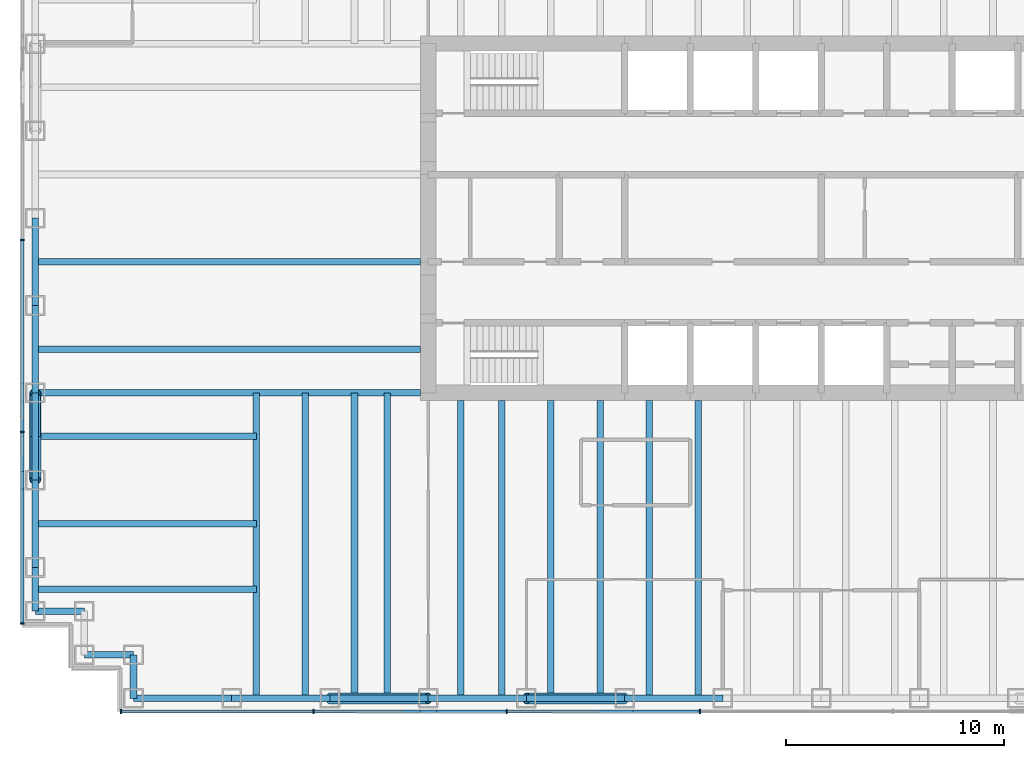
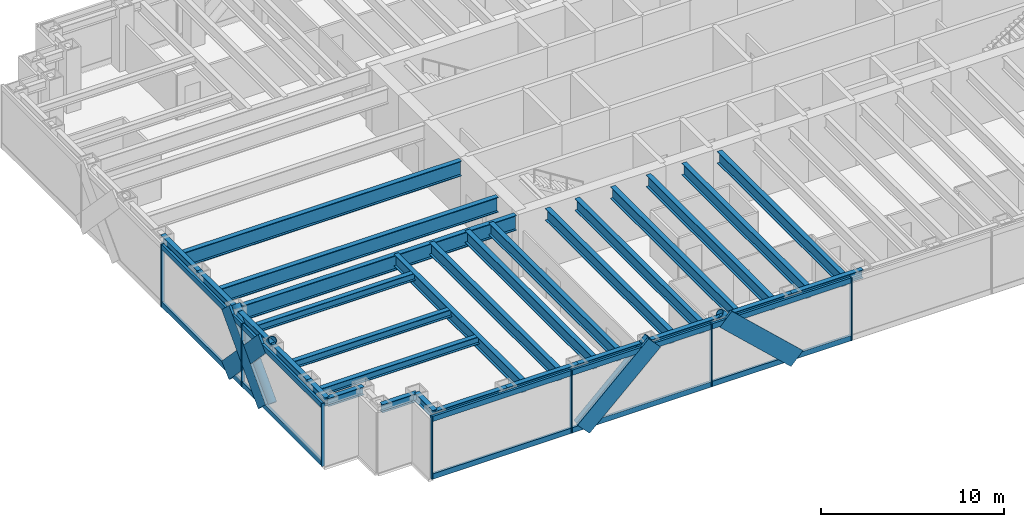
# One storey, part 2 of 17: 30 beams, 25 members, 2 elements without a shape of their own.
"""IFC4 building model written with IfcOpenShell, lengths in metres."""

from ifc_helpers import new_model, si_unit, direction, frame, origin, origin_2d, place, context, subcontext, project, spatial, rectangle, hollow_circle, i_section, extrude, material, material_profile, profile_set, type_object, element, aggregate, save


model = new_model("IFC4")

# Units and contexts
model_context = context("Model", 3, precision=1e-05, world=origin(), true_north=direction((0.0, 1.0)))
body_context = subcontext(model_context, "Body", "Model", "MODEL_VIEW")
ifc_project = project(units=[si_unit("LENGTHUNIT", "METRE"), si_unit("AREAUNIT", "SQUARE_METRE"), si_unit("VOLUMEUNIT", "CUBIC_METRE"), si_unit("PLANEANGLEUNIT", "RADIAN"), si_unit("MASSUNIT", "GRAM", prefix="KILO")], contexts=[model_context])

# Site, building, storey
site_placement = place(None, origin())
site = spatial("IfcSite", under=ifc_project, at=site_placement, CompositionType="ELEMENT")
building_placement = place(site_placement, origin())
building = spatial("IfcBuilding", under=site, at=building_placement, Name="Rheinbord Bourse Tower", CompositionType="ELEMENT")
storey_placement = place(building_placement, frame((0.0, 0.0, 283.699951171875)))
storey = spatial("IfcBuildingStorey", under=building, at=storey_placement, Name="L64", CompositionType="ELEMENT", Elevation=283.699951171875)

# Curtain wall, members
ifc_material_1 = material(Name="Dark glass and black aluminium", Category="aluminium")
curtain_wall_type = type_object("IfcCurtainWallType", Name="CW3 DARK GLASS CURTAIN WALL", PredefinedType="USERDEFINED", material=ifc_material_1)
curtain_wall_1_placement = place(storey_placement, origin())
curtain_wall_1 = element("IfcCurtainWall", 1, at=curtain_wall_1_placement, inside=storey, type_object=curtain_wall_type, Name="Curtain wall CW3 S L64", ObjectType="UNITISED CURTAIN WALL", PredefinedType="USERDEFINED")
ifc_material_2 = material(Name="Black anodised aluminium", Category="aluminium")
ifc_material_profile_1 = material_profile(ifc_material_2, rectangle(XDim=0.14990234375, YDim=1.10791015625, at=origin_2d()), Name="CW3 DIAGONAL MULLION 1108x150")
ifc_profile_set_1 = profile_set([ifc_material_profile_1], Name="Black anodised aluminium")
member_type_1 = type_object("IfcMemberType", Name="CW3 BLACK DIAGONAL MULLION", PredefinedType="USERDEFINED", material=ifc_profile_set_1)
member_1_placement = place(storey_placement, frame((27.0, 1.39990234375, 0.0), z_axis=(-0.73105922506, 0.0, 0.682314010889), x_axis=(0.0, -1.0, 0.0)))
member_1 = element("IfcMember", 2, at=member_1_placement, type_object=member_type_1, Name="CW3 diagonal mullion b", ObjectType="DIAGONAL MULLION", PredefinedType="USERDEFINED", context=body_context, shape_type="SweptSolid", body=[
    extrude(rectangle(XDim=0.14990234375, YDim=1.10791015625, at=origin_2d()), origin(), (0.0, 0.0, 1.0), 6.155517578125),
])
member_2_placement = place(storey_placement, frame((13.5, 1.39990234375, 0.0), z_axis=(0.73105922506, 0.0, 0.682314010889), x_axis=(0.0, 1.0, 0.0)))
member_2 = element("IfcMember", 3, at=member_2_placement, type_object=member_type_1, Name="CW3 diagonal mullion d", ObjectType="DIAGONAL MULLION", PredefinedType="USERDEFINED", context=body_context, shape_type="SweptSolid", body=[
    extrude(rectangle(XDim=0.14990234375, YDim=1.10791015625, at=origin_2d()), origin(), (0.0, 0.0, 1.0), 6.155517578125),
])

curtain_wall_2_placement = place(storey_placement, origin())
curtain_wall_2 = element("IfcCurtainWall", 4, at=curtain_wall_2_placement, inside=storey, type_object=curtain_wall_type, Name="Curtain wall CW3 W L64", ObjectType="UNITISED CURTAIN WALL", PredefinedType="USERDEFINED")
member_3_placement = place(storey_placement, frame((-0.60009765625, 12.0, 0.0), z_axis=(0.0, 0.689659376744, 0.724133926887), x_axis=(-1.0, 0.0, 0.0)))
member_3 = element("IfcMember", 5, at=member_3_placement, type_object=member_type_1, Name="CW3 diagonal mullion b", ObjectType="DIAGONAL MULLION", PredefinedType="USERDEFINED", context=body_context, shape_type="SweptSolid", body=[
    extrude(rectangle(XDim=0.14990234375, YDim=1.10791015625, at=origin_2d()), origin(), (0.0, 0.0, 1.0), 5.800048828125),
])
member_4_placement = place(storey_placement, frame((-0.60009765625, 16.0, 0.0), z_axis=(0.0, -0.689659376744, 0.724133926887), x_axis=(1.0, 0.0, 0.0)))
member_4 = element("IfcMember", 6, at=member_4_placement, type_object=member_type_1, Name="CW3 diagonal mullion c", ObjectType="DIAGONAL MULLION", PredefinedType="USERDEFINED", context=body_context, shape_type="SweptSolid", body=[
    extrude(rectangle(XDim=0.14990234375, YDim=1.10791015625, at=origin_2d()), origin(), (0.0, 0.0, 1.0), 5.800048828125),
])

# Member
ifc_material_3 = material(Name="Black anodised aluminium", Category="aluminium")
ifc_material_profile_2 = material_profile(ifc_material_3, rectangle(XDim=0.199951171875, YDim=0.06494140625, at=origin_2d()), Name="CW3 MULLION 65x200")
ifc_profile_set_2 = profile_set([ifc_material_profile_2], Name="Black anodised aluminium")
member_type_2 = type_object("IfcMemberType", Name="CW3 BLACK MULLION", PredefinedType="MULLION", material=ifc_profile_set_2)
member_5_placement = place(storey_placement, frame((3.9326171875, 1.39990234375, 0.0), z_axis=(0.0, 0.0, 1.0), x_axis=(0.0, 1.0, 0.0)))
member_5 = element("IfcMember", 7, at=member_5_placement, type_object=member_type_2, Name="CW3 mullion 1", PredefinedType="MULLION", context=body_context, shape_type="SweptSolid", body=[
    extrude(rectangle(XDim=0.199951171875, YDim=0.06494140625, at=origin_2d()), origin(), (0.0, 0.0, 1.0), 4.199951171875),
])

member_6_placement = place(storey_placement, frame((12.75, 1.39990234375, 0.0), z_axis=(0.0, 0.0, 1.0), x_axis=(0.0, 1.0, 0.0)))
member_6 = element("IfcMember", 8, at=member_6_placement, type_object=member_type_2, Name="CW3 mullion 2", PredefinedType="MULLION", context=body_context, shape_type="SweptSolid", body=[
    extrude(rectangle(XDim=0.199951171875, YDim=0.06494140625, at=origin_2d()), origin(), (0.0, 0.0, 1.0), 4.199951171875),
])

member_7_placement = place(storey_placement, frame((21.60009765625, 1.39990234375, 0.0), z_axis=(0.0, 0.0, 1.0), x_axis=(0.0, 1.0, 0.0)))
member_7 = element("IfcMember", 9, at=member_7_placement, type_object=member_type_2, Name="CW3 mullion 3", PredefinedType="MULLION", context=body_context, shape_type="SweptSolid", body=[
    extrude(rectangle(XDim=0.199951171875, YDim=0.06494140625, at=origin_2d()), origin(), (0.0, 0.0, 1.0), 4.199951171875),
])

member_8_placement = place(storey_placement, frame((30.449951171875, 1.39990234375, 0.0), z_axis=(0.0, 0.0, 1.0), x_axis=(0.0, 1.0, 0.0)))
member_8 = element("IfcMember", 10, at=member_8_placement, type_object=member_type_2, Name="CW3 mullion 4", PredefinedType="MULLION", context=body_context, shape_type="SweptSolid", body=[
    extrude(rectangle(XDim=0.199951171875, YDim=0.06494140625, at=origin_2d()), origin(), (0.0, 0.0, 1.0), 4.199951171875),
])

member_9_placement = place(storey_placement, frame((-0.60009765625, 23.0, 0.0), z_axis=(0.0, 0.0, 1.0), x_axis=(1.0, 0.0, 0.0)))
member_9 = element("IfcMember", 11, at=member_9_placement, type_object=member_type_2, Name="CW3 mullion 3", PredefinedType="MULLION", context=body_context, shape_type="SweptSolid", body=[
    extrude(rectangle(XDim=0.199951171875, YDim=0.06494140625, at=origin_2d()), origin(), (0.0, 0.0, 1.0), 4.199951171875),
])

member_10_placement = place(storey_placement, frame((-0.60009765625, 14.199951171875, 0.0), z_axis=(0.0, 0.0, 1.0), x_axis=(1.0, 0.0, 0.0)))
member_10 = element("IfcMember", 12, at=member_10_placement, type_object=member_type_2, Name="CW3 mullion 4", PredefinedType="MULLION", context=body_context, shape_type="SweptSolid", body=[
    extrude(rectangle(XDim=0.199951171875, YDim=0.06494140625, at=origin_2d()), origin(), (0.0, 0.0, 1.0), 4.199951171875),
])

member_11_placement = place(storey_placement, frame((-0.60009765625, 5.4326171875, 0.0), z_axis=(0.0, 0.0, 1.0), x_axis=(1.0, 0.0, 0.0)))
member_11 = element("IfcMember", 13, at=member_11_placement, type_object=member_type_2, Name="CW3 mullion 5", PredefinedType="MULLION", context=body_context, shape_type="SweptSolid", body=[
    extrude(rectangle(XDim=0.199951171875, YDim=0.06494140625, at=origin_2d()), origin(), (0.0, 0.0, 1.0), 4.199951171875),
])

ifc_material_4 = material(Name="Black anodised aluminium", Category="aluminium")
ifc_material_profile_3 = material_profile(ifc_material_4, rectangle(XDim=0.14990234375, YDim=0.35009765625, at=origin_2d()), Name="CW3 TRANSOM 350x150")
ifc_profile_set_3 = profile_set([ifc_material_profile_3], Name="Black anodised aluminium")
member_type_3 = type_object("IfcMemberType", Name="CW3 BLACK TRANSOM", PredefinedType="USERDEFINED", material=ifc_profile_set_3)
member_12_placement = place(storey_placement, frame((3.965087890625, 1.39990234375, 0.175048828125), z_axis=(1.0, 0.0, 0.0), x_axis=(0.0, 1.0, 0.0)))
member_12 = element("IfcMember", 14, at=member_12_placement, type_object=member_type_3, Name="CW3 transom 1.1", ObjectType="TRANSOM", PredefinedType="USERDEFINED", context=body_context, shape_type="SweptSolid", body=[
    extrude(rectangle(XDim=0.14990234375, YDim=0.35009765625, at=origin_2d()), origin(), (0.0, 0.0, 1.0), 8.75244140625),
])

member_13_placement = place(storey_placement, frame((3.965087890625, 1.39990234375, 4.025146484375), z_axis=(1.0, 0.0, 0.0), x_axis=(0.0, 1.0, 0.0)))
member_13 = element("IfcMember", 15, at=member_13_placement, type_object=member_type_3, Name="CW3 transom 1.2", ObjectType="TRANSOM", PredefinedType="USERDEFINED", context=body_context, shape_type="SweptSolid", body=[
    extrude(rectangle(XDim=0.14990234375, YDim=0.35009765625, at=origin_2d()), origin(), (0.0, 0.0, 1.0), 8.75244140625),
])

member_14_placement = place(storey_placement, frame((12.782470703125, 1.39990234375, 0.175048828125), z_axis=(1.0, 0.0, 0.0), x_axis=(0.0, 1.0, 0.0)))
member_14 = element("IfcMember", 16, at=member_14_placement, type_object=member_type_3, Name="CW3 transom 2.1", ObjectType="TRANSOM", PredefinedType="USERDEFINED", context=body_context, shape_type="SweptSolid", body=[
    extrude(rectangle(XDim=0.14990234375, YDim=0.35009765625, at=origin_2d()), origin(), (0.0, 0.0, 1.0), 8.784912109375),
])

member_15_placement = place(storey_placement, frame((12.782470703125, 1.39990234375, 4.025146484375), z_axis=(1.0, 0.0, 0.0), x_axis=(0.0, 1.0, 0.0)))
member_15 = element("IfcMember", 17, at=member_15_placement, type_object=member_type_3, Name="CW3 transom 2.2", ObjectType="TRANSOM", PredefinedType="USERDEFINED", context=body_context, shape_type="SweptSolid", body=[
    extrude(rectangle(XDim=0.14990234375, YDim=0.35009765625, at=origin_2d()), origin(), (0.0, 0.0, 1.0), 8.784912109375),
])

member_16_placement = place(storey_placement, frame((21.632568359375, 1.39990234375, 0.175048828125), z_axis=(1.0, 0.0, 0.0), x_axis=(0.0, 1.0, 0.0)))
member_16 = element("IfcMember", 18, at=member_16_placement, type_object=member_type_3, Name="CW3 transom 3.1", ObjectType="TRANSOM", PredefinedType="USERDEFINED", context=body_context, shape_type="SweptSolid", body=[
    extrude(rectangle(XDim=0.14990234375, YDim=0.35009765625, at=origin_2d()), origin(), (0.0, 0.0, 1.0), 8.784912109375),
])

member_17_placement = place(storey_placement, frame((21.632568359375, 1.39990234375, 4.025146484375), z_axis=(1.0, 0.0, 0.0), x_axis=(0.0, 1.0, 0.0)))
member_17 = element("IfcMember", 19, at=member_17_placement, type_object=member_type_3, Name="CW3 transom 3.2", ObjectType="TRANSOM", PredefinedType="USERDEFINED", context=body_context, shape_type="SweptSolid", body=[
    extrude(rectangle(XDim=0.14990234375, YDim=0.35009765625, at=origin_2d()), origin(), (0.0, 0.0, 1.0), 8.784912109375),
])

aggregate(curtain_wall_1, [member_5, member_6, member_7, member_8, member_12, member_13, member_14, member_15, member_16, member_17, member_1, member_2])

member_18_placement = place(storey_placement, frame((-0.60009765625, 22.967529296875, 0.175048828125), z_axis=(0.0, -1.0, 0.0), x_axis=(1.0, 0.0, 0.0)))
member_18 = element("IfcMember", 20, at=member_18_placement, type_object=member_type_3, Name="CW3 transom 3.1", ObjectType="TRANSOM", PredefinedType="USERDEFINED", context=body_context, shape_type="SweptSolid", body=[
    extrude(rectangle(XDim=0.14990234375, YDim=0.35009765625, at=origin_2d()), origin(), (0.0, 0.0, 1.0), 8.735107421875),
])

member_19_placement = place(storey_placement, frame((-0.60009765625, 22.967529296875, 4.025146484375), z_axis=(0.0, -1.0, 0.0), x_axis=(1.0, 0.0, 0.0)))
member_19 = element("IfcMember", 21, at=member_19_placement, type_object=member_type_3, Name="CW3 transom 3.2", ObjectType="TRANSOM", PredefinedType="USERDEFINED", context=body_context, shape_type="SweptSolid", body=[
    extrude(rectangle(XDim=0.14990234375, YDim=0.35009765625, at=origin_2d()), origin(), (0.0, 0.0, 1.0), 8.735107421875),
])

member_20_placement = place(storey_placement, frame((-0.60009765625, 14.16748046875, 0.175048828125), z_axis=(0.0, -1.0, 0.0), x_axis=(1.0, 0.0, 0.0)))
member_20 = element("IfcMember", 22, at=member_20_placement, type_object=member_type_3, Name="CW3 transom 4.1", ObjectType="TRANSOM", PredefinedType="USERDEFINED", context=body_context, shape_type="SweptSolid", body=[
    extrude(rectangle(XDim=0.14990234375, YDim=0.35009765625, at=origin_2d()), origin(), (0.0, 0.0, 1.0), 8.702392578125),
])

member_21_placement = place(storey_placement, frame((-0.60009765625, 14.16748046875, 4.025146484375), z_axis=(0.0, -1.0, 0.0), x_axis=(1.0, 0.0, 0.0)))
member_21 = element("IfcMember", 23, at=member_21_placement, type_object=member_type_3, Name="CW3 transom 4.2", ObjectType="TRANSOM", PredefinedType="USERDEFINED", context=body_context, shape_type="SweptSolid", body=[
    extrude(rectangle(XDim=0.14990234375, YDim=0.35009765625, at=origin_2d()), origin(), (0.0, 0.0, 1.0), 8.702392578125),
])

aggregate(curtain_wall_2, [member_9, member_10, member_11, member_18, member_19, member_20, member_21, member_3, member_4])

# Beams
ifc_material_5 = material(Name="Steel S460", Category="steel")
ifc_material_profile_4 = material_profile(ifc_material_5, i_section(OverallWidth=0.302001953125, OverallDepth=1.008056640625, WebThickness=0.02099609375, FlangeThickness=0.0400390625, at=origin_2d()), Name="HEM 1000")
ifc_profile_set_4 = profile_set([ifc_material_profile_4], Name="Steel S460")
beam_type_1 = type_object("IfcBeamType", Name="END BEAM HEM 1000", PredefinedType="BEAM", material=ifc_profile_set_4)
for number, where, z_axis, x_axis, name in (
    (24, (0.0, 18.0, 3.5361328125), (1.0, 0.0, 0.0), (0.0, 1.0, 0.0), "End beam west 18 L65"),
    (25, (0.0, 22.0, 3.5361328125), (1.0, 0.0, 0.0), (0.0, 1.0, 0.0), "End beam west 22 L65"),
):
    element("IfcBeam", number, at=place(storey_placement, frame(where, z_axis=z_axis, x_axis=x_axis)), inside=storey, type_object=beam_type_1, Name=name, PredefinedType="BEAM", context=body_context, shape_type="SweptSolid", body=[
        extrude(i_section(OverallWidth=0.302001953125, OverallDepth=1.008056640625, WebThickness=0.02099609375, FlangeThickness=0.0400390625, at=origin_2d()), origin(), (0.0, 0.0, 1.0), 17.64990234375),
    ])
ifc_material_6 = material(Name="Steel S460", Category="steel")
ifc_material_profile_5 = material_profile(ifc_material_6, i_section(OverallWidth=0.300048828125, OverallDepth=0.800048828125, WebThickness=0.017578125, FlangeThickness=0.032958984375, at=origin_2d()), Name="HEB 800")
ifc_profile_set_5 = profile_set([ifc_material_profile_5], Name="Steel S460")
beam_type_2 = type_object("IfcBeamType", Name="FLOOR BEAM HEB 800", PredefinedType="BEAM", material=ifc_profile_set_5)
for number, where, z_axis, x_axis, name in (
    (26, (10.125, 2.0, 3.64013671875), (0.0, 1.0, 0.0), (-1.0, 0.0, 0.0), "Floor beam S-9a L65"),
    (27, (12.375, 2.0, 3.64013671875), (0.0, 1.0, 0.0), (-1.0, 0.0, 0.0), "Floor beam S-9b L65"),
    (28, (14.625, 2.0, 3.64013671875), (0.0, 1.0, 0.0), (-1.0, 0.0, 0.0), "Floor beam S-13.5a L65"),
    (29, (16.125, 2.0, 3.64013671875), (0.0, 1.0, 0.0), (-1.0, 0.0, 0.0), "Floor beam S-13.5b L65"),
):
    element("IfcBeam", number, at=place(storey_placement, frame(where, z_axis=z_axis, x_axis=x_axis)), inside=storey, type_object=beam_type_2, Name=name, PredefinedType="BEAM", context=body_context, shape_type="SweptSolid", body=[
        extrude(i_section(OverallWidth=0.300048828125, OverallDepth=0.800048828125, WebThickness=0.017578125, FlangeThickness=0.032958984375, at=origin_2d()), origin(), (0.0, 0.0, 1.0), 14.0),
    ])
for number, where, z_axis, x_axis, name in (
    (30, (19.5, 2.0, 3.64013671875), (0.0, 1.0, 0.0), (-1.0, 0.0, 0.0), "Floor beam S-18a L65"),
    (31, (21.375, 2.0, 3.64013671875), (0.0, 1.0, 0.0), (-1.0, 0.0, 0.0), "Floor beam S-18b L65"),
    (32, (23.625, 2.0, 3.64013671875), (0.0, 1.0, 0.0), (-1.0, 0.0, 0.0), "Floor beam S-22.5a L65"),
    (33, (25.875, 2.0, 3.64013671875), (0.0, 1.0, 0.0), (-1.0, 0.0, 0.0), "Floor beam S-22.5b L65"),
    (34, (28.125, 2.0, 3.64013671875), (0.0, 1.0, 0.0), (-1.0, 0.0, 0.0), "Floor beam S-27a L65"),
    (35, (30.375, 2.0, 3.64013671875), (0.0, 1.0, 0.0), (-1.0, 0.0, 0.0), "Floor beam S-27b L65"),
):
    element("IfcBeam", number, at=place(storey_placement, frame(where, z_axis=z_axis, x_axis=x_axis)), inside=storey, type_object=beam_type_2, Name=name, PredefinedType="BEAM", context=body_context, shape_type="SweptSolid", body=[
        extrude(i_section(OverallWidth=0.300048828125, OverallDepth=0.800048828125, WebThickness=0.017578125, FlangeThickness=0.032958984375, at=origin_2d()), origin(), (0.0, 0.0, 1.0), 13.64990234375),
    ])
ifc_material_7 = material(Name="Steel S460", Category="steel")
ifc_material_profile_6 = material_profile(ifc_material_7, i_section(OverallWidth=0.302001953125, OverallDepth=1.008056640625, WebThickness=0.02099609375, FlangeThickness=0.0400390625, at=origin_2d()), Name="HEM 1000")
ifc_profile_set_6 = profile_set([ifc_material_profile_6], Name="Steel S460")
beam_type_3 = type_object("IfcBeamType", Name="GIRDER HEM 1000", PredefinedType="BEAM", material=ifc_profile_set_6)
beam_1_placement = place(storey_placement, frame((0.0, 16.0, 3.5361328125), z_axis=(1.0, 0.0, 0.0), x_axis=(0.0, 1.0, 0.0)))
element("IfcBeam", 36, at=beam_1_placement, inside=storey, type_object=beam_type_3, Name="Girder west 16 L65", PredefinedType="BEAM", context=body_context, shape_type="SweptSolid", body=[
    extrude(i_section(OverallWidth=0.302001953125, OverallDepth=1.008056640625, WebThickness=0.02099609375, FlangeThickness=0.0400390625, at=origin_2d()), origin(), (0.0, 0.0, 1.0), 17.64990234375),
])

# Members
ifc_material_8 = material(Name="Steel S460", Category="steel")
ifc_material_profile_7 = material_profile(ifc_material_8, hollow_circle(Radius=0.25390625, WallThickness=0.030029296875, at=origin_2d()), Name="CHS 508x30")
ifc_profile_set_7 = profile_set([ifc_material_profile_7], Name="Steel S460")
member_type_4 = type_object("IfcMemberType", Name="MEGABRACE CHS 508x30", PredefinedType="BRACE", material=ifc_profile_set_7)
for number, where, z_axis, x_axis, name in (
    (37, (27.0, 2.0, 0.0), (-0.73105922506, 0.0, 0.682314010889), (0.0, -1.0, 0.0), "Megabrace S face line b L64"),
    (38, (13.5, 2.0, 0.0), (0.73105922506, 0.0, 0.682314010889), (0.0, 1.0, 0.0), "Megabrace S face line d L64"),
):
    element("IfcMember", number, at=place(storey_placement, frame(where, z_axis=z_axis, x_axis=x_axis)), inside=storey, type_object=member_type_4, Name=name, PredefinedType="BRACE", context=body_context, shape_type="SweptSolid", body=[
        extrude(hollow_circle(Radius=0.25390625, WallThickness=0.030029296875, at=origin_2d()), origin(), (0.0, 0.0, 1.0), 6.155517578125),
    ])
for number, where, z_axis, x_axis, name in (
    (39, (0.0, 12.0, 0.0), (0.0, 0.689659376744, 0.724133926887), (-1.0, 0.0, 0.0), "Megabrace W face line b L64"),
    (40, (0.0, 16.0, 0.0), (0.0, -0.689659376744, 0.724133926887), (1.0, 0.0, 0.0), "Megabrace W face line c L64"),
):
    element("IfcMember", number, at=place(storey_placement, frame(where, z_axis=z_axis, x_axis=x_axis)), inside=storey, type_object=member_type_4, Name=name, PredefinedType="BRACE", context=body_context, shape_type="SweptSolid", body=[
        extrude(hollow_circle(Radius=0.25390625, WallThickness=0.030029296875, at=origin_2d()), origin(), (0.0, 0.0, 1.0), 5.800048828125),
    ])

# Beams
ifc_material_9 = material(Name="Steel S460", Category="steel")
ifc_material_profile_8 = material_profile(ifc_material_9, i_section(OverallWidth=0.300048828125, OverallDepth=0.550048828125, WebThickness=0.014892578125, FlangeThickness=0.029052734375, at=origin_2d()), Name="HEB 550")
ifc_profile_set_8 = profile_set([ifc_material_profile_8], Name="Steel S460")
beam_type_4 = type_object("IfcBeamType", Name="SPANDREL HEB 550", PredefinedType="SPANDREL", material=ifc_profile_set_8)
for number, where, z_axis, x_axis, name in (
    (41, (4.5, 2.0, 3.76513671875), (1.0, 0.0, 0.0), (0.0, 1.0, 0.0), "Spandrel SW-E-S-9 under L65"),
    (42, (9.0, 2.0, 3.76513671875), (1.0, 0.0, 0.0), (0.0, 1.0, 0.0), "Spandrel S-9-S-13.5 under L65"),
    (43, (13.5, 2.0, 3.76513671875), (1.0, 0.0, 0.0), (0.0, 1.0, 0.0), "Spandrel S-13.5-S-18 under L65"),
    (44, (18.0, 2.0, 3.76513671875), (1.0, 0.0, 0.0), (0.0, 1.0, 0.0), "Spandrel S-18-S-22.5 under L65"),
    (45, (22.5, 2.0, 3.76513671875), (1.0, 0.0, 0.0), (0.0, 1.0, 0.0), "Spandrel S-22.5-S-27 under L65"),
    (46, (27.0, 2.0, 3.76513671875), (1.0, 0.0, 0.0), (0.0, 1.0, 0.0), "Spandrel S-27-S-31.5 under L65"),
):
    element("IfcBeam", number, at=place(storey_placement, frame(where, z_axis=z_axis, x_axis=x_axis)), inside=storey, type_object=beam_type_4, Name=name, PredefinedType="SPANDREL", context=body_context, shape_type="SweptSolid", body=[
        extrude(i_section(OverallWidth=0.300048828125, OverallDepth=0.550048828125, WebThickness=0.014892578125, FlangeThickness=0.029052734375, at=origin_2d()), origin(), (0.0, 0.0, 1.0), 4.5),
    ])
for number, where, z_axis, x_axis, name in (
    (47, (0.0, 24.0, 3.76513671875), (0.0, -1.0, 0.0), (1.0, 0.0, 0.0), "Spandrel W-24-W-20 under L65"),
    (48, (0.0, 20.0, 3.76513671875), (0.0, -1.0, 0.0), (1.0, 0.0, 0.0), "Spandrel W-20-W-16 under L65"),
    (49, (0.0, 16.0, 3.76513671875), (0.0, -1.0, 0.0), (1.0, 0.0, 0.0), "Spandrel W-16-W-12 under L65"),
    (50, (0.0, 12.0, 3.76513671875), (0.0, -1.0, 0.0), (1.0, 0.0, 0.0), "Spandrel W-12-W-8 under L65"),
):
    element("IfcBeam", number, at=place(storey_placement, frame(where, z_axis=z_axis, x_axis=x_axis)), inside=storey, type_object=beam_type_4, Name=name, PredefinedType="SPANDREL", context=body_context, shape_type="SweptSolid", body=[
        extrude(i_section(OverallWidth=0.300048828125, OverallDepth=0.550048828125, WebThickness=0.014892578125, FlangeThickness=0.029052734375, at=origin_2d()), origin(), (0.0, 0.0, 1.0), 4.0),
    ])
beam_2_placement = place(storey_placement, frame((0.0, 8.0, 3.76513671875), z_axis=(0.0, -1.0, 0.0), x_axis=(1.0, 0.0, 0.0)))
element("IfcBeam", 51, at=beam_2_placement, inside=storey, type_object=beam_type_4, Name="Spandrel W-8-SW-A under L65", PredefinedType="SPANDREL", context=body_context, shape_type="SweptSolid", body=[
    extrude(i_section(OverallWidth=0.300048828125, OverallDepth=0.550048828125, WebThickness=0.014892578125, FlangeThickness=0.029052734375, at=origin_2d()), origin(), (0.0, 0.0, 1.0), 2.0),
])
for number, where, z_axis, x_axis, name in (
    (52, (0.0, 6.0, 3.76513671875), (1.0, 0.0, 0.0), (0.0, 1.0, 0.0), "Spandrel SW-A-SW-B under L65"),
    (53, (2.25, 4.0, 3.76513671875), (1.0, 0.0, 0.0), (0.0, 1.0, 0.0), "Spandrel SW-C-SW-D under L65"),
):
    element("IfcBeam", number, at=place(storey_placement, frame(where, z_axis=z_axis, x_axis=x_axis)), inside=storey, type_object=beam_type_4, Name=name, PredefinedType="SPANDREL", context=body_context, shape_type="SweptSolid", body=[
        extrude(i_section(OverallWidth=0.300048828125, OverallDepth=0.550048828125, WebThickness=0.014892578125, FlangeThickness=0.029052734375, at=origin_2d()), origin(), (0.0, 0.0, 1.0), 2.25),
    ])
beam_3_placement = place(storey_placement, frame((4.5, 4.0, 3.76513671875), z_axis=(0.0, -1.0, 0.0), x_axis=(1.0, 0.0, 0.0)))
element("IfcBeam", 54, at=beam_3_placement, inside=storey, type_object=beam_type_4, Name="Spandrel SW-D-SW-E under L65", PredefinedType="SPANDREL", context=body_context, shape_type="SweptSolid", body=[
    extrude(i_section(OverallWidth=0.300048828125, OverallDepth=0.550048828125, WebThickness=0.014892578125, FlangeThickness=0.029052734375, at=origin_2d()), origin(), (0.0, 0.0, 1.0), 2.0),
])
ifc_material_10 = material(Name="Steel S460", Category="steel")
ifc_material_profile_9 = material_profile(ifc_material_10, i_section(OverallWidth=0.300048828125, OverallDepth=0.5, WebThickness=0.014404296875, FlangeThickness=0.028076171875, at=origin_2d()), Name="HEB 500")
ifc_profile_set_9 = profile_set([ifc_material_profile_9], Name="Steel S460")
beam_type_5 = type_object("IfcBeamType", Name="TIE BEAM HEB 500", PredefinedType="JOIST", material=ifc_profile_set_9)
for number, where, z_axis, x_axis, name in (
    (55, (0.0, 7.0, 3.7900390625), (1.0, 0.0, 0.0), (0.0, 1.0, 0.0), "Tie west 7 L65"),
    (56, (0.0, 10.0, 3.7900390625), (1.0, 0.0, 0.0), (0.0, 1.0, 0.0), "Tie west 10 L65"),
    (57, (0.0, 14.0, 3.7900390625), (1.0, 0.0, 0.0), (0.0, 1.0, 0.0), "Tie west 14 L65"),
):
    element("IfcBeam", number, at=place(storey_placement, frame(where, z_axis=z_axis, x_axis=x_axis)), inside=storey, type_object=beam_type_5, Name=name, PredefinedType="JOIST", context=body_context, shape_type="SweptSolid", body=[
        extrude(i_section(OverallWidth=0.300048828125, OverallDepth=0.5, WebThickness=0.014404296875, FlangeThickness=0.028076171875, at=origin_2d()), origin(), (0.0, 0.0, 1.0), 10.125),
    ])

save(model, "model.ifc")
